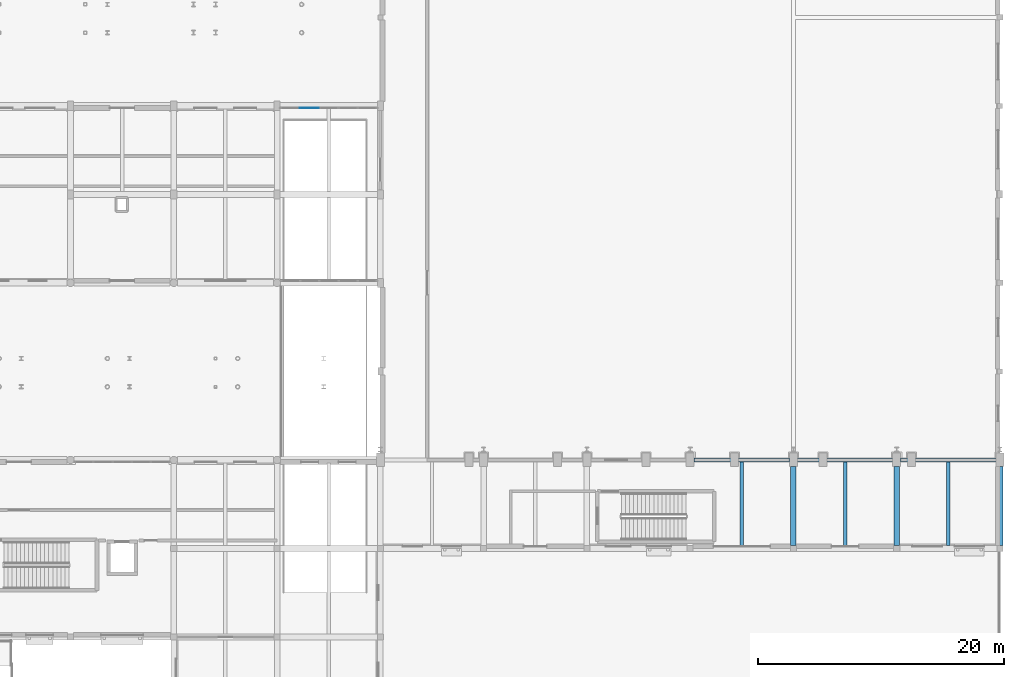
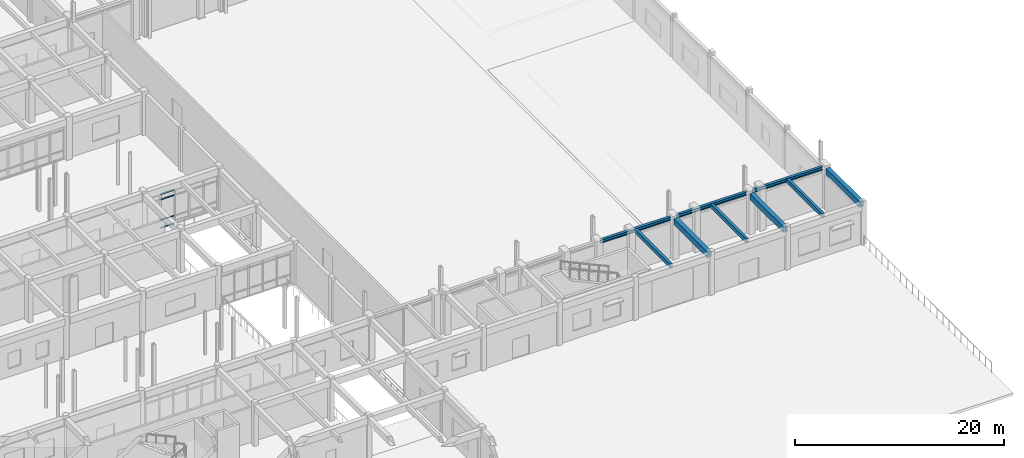
# One storey, part 61 of 121: 9 beams, 4 members, 1 element without a shape of its own.
"""IFC4 building model written with IfcOpenShell, lengths in metres."""

import ifcopenshell
import ifcopenshell.guid

model = None  # the IFC model being written
_history = None  # IfcOwnerHistory: only IFC2X3 demands one
_inside = {}  # id of a spatial element -> (the spatial element, [elements in it])
_under = {}  # id of a project, library or spatial element -> (it, [spatial elements below it])
_declared = {}  # id of a project -> (the project, [libraries it declares])
_typed = {}  # id of a type object -> (the type object, [elements of that type])
_made_of = {}  # id of a material, layer set ... -> (it, [elements and type objects made of it])


def new_model(schema):
    """Start an empty IFC model of exactly this schema.

    Asked for "IFC4X3", IfcOpenShell would pick the latest addendum, in which some entities
    have other attributes; the version numbers below select the first issue.
    IFC2X3 requires an IfcOwnerHistory on every rooted entity: one is made here for all.
    """
    global model, _history
    if schema == "IFC4X3":
        model = ifcopenshell.file(schema_version=(4, 3, 0, 0))
    else:
        model = ifcopenshell.file(schema=schema)
    _inside.clear()
    _under.clear()
    _declared.clear()
    _typed.clear()
    _made_of.clear()
    _history = None
    if model.schema == "IFC2X3":
        org = make("IfcOrganization", Name="unknown")
        user = make(
            "IfcPersonAndOrganization",
            ThePerson=make("IfcPerson", FamilyName="unknown"),
            TheOrganization=org,
        )
        app = make(
            "IfcApplication",
            ApplicationDeveloper=org,
            Version="unknown",
            ApplicationFullName="unknown",
            ApplicationIdentifier="unknown",
        )
        _history = make(
            "IfcOwnerHistory",
            OwningUser=user,
            OwningApplication=app,
            ChangeAction="ADDED",
            CreationDate=0,
        )
    return model


def make(cls, **values):
    """One entity of the class cls with the attributes given. An attribute that is None is left unset."""
    return model.create_entity(
        cls, **{name: value for name, value in values.items() if value is not None}
    )


def rooted(cls, **values):
    """An entity with a GlobalId (a new one), such as an element, a storey or a relation."""
    return make(cls, GlobalId=ifcopenshell.guid.new(), OwnerHistory=_history, **values)


def si_unit(unit_type, name, prefix=None):
    """IfcSIUnit, for example si_unit("LENGTHUNIT", "METRE", prefix="MILLI")."""
    return make("IfcSIUnit", UnitType=unit_type, Prefix=prefix, Name=name)


def assignment(units):
    """IfcUnitAssignment: the units of a project."""
    return None if units is None else make("IfcUnitAssignment", Units=units)


def point(xyz):
    """IfcCartesianPoint."""
    return None if xyz is None else make("IfcCartesianPoint", Coordinates=xyz)


def direction(xyz):
    """IfcDirection."""
    return None if xyz is None else make("IfcDirection", DirectionRatios=xyz)


def frame(location, z_axis=None, x_axis=None):
    """IfcAxis2Placement3D, a coordinate frame: its origin and axes. An axis left out is left unset."""
    return make(
        "IfcAxis2Placement3D",
        Location=point(location),
        Axis=direction(z_axis),
        RefDirection=direction(x_axis),
    )


def frame_2d(location, x_axis=None):
    """IfcAxis2Placement2D, a coordinate frame in the plane: its origin and x axis."""
    return make(
        "IfcAxis2Placement2D", Location=point(location), RefDirection=direction(x_axis)
    )


def origin():
    """The frame at (0, 0, 0) with its axes left unset."""
    return frame((0.0, 0.0, 0.0))


def origin_2d():
    """The frame at (0, 0) in the plane with its x axis left unset."""
    return frame_2d((0.0, 0.0))


def place(relative_to, where):
    """IfcLocalPlacement: puts the frame where relative to a parent placement (None: the world)."""
    return make(
        "IfcLocalPlacement", PlacementRelTo=relative_to, RelativePlacement=where
    )


def context(
    kind, dimensions, precision=None, world=None, true_north=None, identifier=None
):
    """IfcGeometricRepresentationContext, for example the 3D "Model" context."""
    return make(
        "IfcGeometricRepresentationContext",
        ContextIdentifier=identifier,
        ContextType=kind,
        CoordinateSpaceDimension=dimensions,
        Precision=precision,
        WorldCoordinateSystem=world,
        TrueNorth=true_north,
    )


def subcontext(parent, identifier, kind, view, scale=None):
    """IfcGeometricRepresentationSubContext, for example "Body" below "Model"."""
    return make(
        "IfcGeometricRepresentationSubContext",
        ContextIdentifier=identifier,
        ContextType=kind,
        ParentContext=parent,
        TargetScale=scale,
        TargetView=view,
    )


def project(units=None, contexts=None):
    """IfcProject with its units and contexts."""
    return rooted(
        "IfcProject",
        Name="project",
        RepresentationContexts=contexts,
        UnitsInContext=assignment(units),
    )


def spatial(cls, under=None, at=None, **own):
    """A site, building, storey or space (cls), placed at a placement, below another one or the project."""
    s = rooted(cls, ObjectPlacement=at, **own)
    if under is not None:
        _under.setdefault(under.id(), (under, []))[1].append(s)
    return s


def profile(cls, at=None, kind="AREA", **sizes):
    """A parametric profile (cls). Its sizes go by their IFC names, for example OverallWidth=200.0."""
    return make(cls, ProfileType=kind, Position=at, **sizes)


def rectangle(**sizes):
    """IfcRectangleProfileDef."""
    return profile("IfcRectangleProfileDef", **sizes)


def i_section(**sizes):
    """IfcIShapeProfileDef."""
    return profile("IfcIShapeProfileDef", **sizes)


def extrude(swept, where, along, depth):
    """IfcExtrudedAreaSolid: the profile swept, set in the frame where, extruded along a direction by depth."""
    return make(
        "IfcExtrudedAreaSolid",
        SweptArea=swept,
        Position=where,
        ExtrudedDirection=direction(along),
        Depth=depth,
    )


def shape(context_of_items, identifier, shape_type, items):
    """IfcShapeRepresentation: the items that make up one representation, for example the "Body"."""
    return make(
        "IfcShapeRepresentation",
        ContextOfItems=context_of_items,
        RepresentationIdentifier=identifier,
        RepresentationType=shape_type,
        Items=items,
    )


def material(Name=None, Category=None):
    """IfcMaterial."""
    return make("IfcMaterial", Name=Name, Category=Category)


def material_profile(
    of_material, cross_section, Name=None, Category=None, Priority=None
):
    """IfcMaterialProfile: a cross section and its material."""
    return make(
        "IfcMaterialProfile",
        Name=Name,
        Material=of_material,
        Profile=cross_section,
        Priority=Priority,
        Category=Category,
    )


def profile_set(profiles, Name=None, composite=None):
    """IfcMaterialProfileSet."""
    return make(
        "IfcMaterialProfileSet",
        Name=Name,
        MaterialProfiles=profiles,
        CompositeProfile=composite,
    )


def made_of(thing, what):
    """Note that an element or type object is made of a material, layer set ...; save() writes the relation."""
    if what is not None:
        _made_of.setdefault(what.id(), (what, []))[1].append(thing)
    return thing


def type_object(cls, material=None, **own):
    """A type object (cls), such as IfcWallType, which elements share."""
    return made_of(rooted(cls, **own), material)


def element(
    cls,
    number,
    at=None,
    inside=None,
    cuts=None,
    type_object=None,
    material=None,
    context=None,
    identifier="Body",
    shape_type=None,
    held_by="IfcProductDefinitionShape",
    body=None,
    shapes=None,
    **own,
):
    """One element of the class cls, such as IfcWall. Its Tag is "e" and its number.

    at: its placement. inside: the storey or other place that contains it. cuts: it is an
    opening in that element (IfcRelVoidsElement). A single representation is given by context,
    identifier, shape_type and body (its items); several are given by shapes. held_by: the class
    of the entity that holds the representations. save() writes the other relations.
    """
    e = rooted(cls, Tag="e%d" % number, ObjectPlacement=at, **own)
    if body is not None:
        shapes = [shape(context, identifier, shape_type, body)]
    if shapes is not None:
        e.Representation = make(held_by, Representations=shapes)
    if inside is not None:
        _inside.setdefault(inside.id(), (inside, []))[1].append(e)
    if cuts is not None:
        rooted(
            "IfcRelVoidsElement", RelatingBuildingElement=cuts, RelatedOpeningElement=e
        )
    if type_object is not None:
        _typed.setdefault(type_object.id(), (type_object, []))[1].append(e)
    return made_of(e, material)


def aggregate(whole, parts):
    """IfcRelAggregates: a whole, such as a stair, and the parts it consists of."""
    return rooted("IfcRelAggregates", RelatingObject=whole, RelatedObjects=parts)


def save(model, path):
    """Write the relations noted so far, then the file.

    IfcRelAggregates (storeys below a building ...), IfcRelContainedInSpatialStructure (elements
    in a storey), IfcRelDefinesByType, IfcRelAssociatesMaterial and IfcRelDeclares: one each for
    every whole, place, type object, material and project.
    """
    for whole, parts in _under.values():
        aggregate(whole, parts)
    for where, things in _inside.values():
        rooted(
            "IfcRelContainedInSpatialStructure",
            RelatedElements=things,
            RelatingStructure=where,
        )
    for kind, things in _typed.values():
        rooted("IfcRelDefinesByType", RelatedObjects=things, RelatingType=kind)
    for what, things in _made_of.values():
        rooted("IfcRelAssociatesMaterial", RelatedObjects=things, RelatingMaterial=what)
    for by, libraries in _declared.values():
        rooted("IfcRelDeclares", RelatingContext=by, RelatedDefinitions=libraries)
    model.write(path)


model = new_model("IFC4")

# Units and contexts
model_context = context("Model", 3, precision=1e-05, world=origin(), true_north=direction((0.0, 1.0)))
body_context = subcontext(model_context, "Body", "Model", "MODEL_VIEW")
ifc_project = project(units=[si_unit("LENGTHUNIT", "METRE"), si_unit("AREAUNIT", "SQUARE_METRE"), si_unit("VOLUMEUNIT", "CUBIC_METRE"), si_unit("PLANEANGLEUNIT", "RADIAN"), si_unit("MASSUNIT", "GRAM", prefix="KILO")], contexts=[model_context])

# Site, building, storey
site_placement = place(None, origin())
site = spatial("IfcSite", under=ifc_project, at=site_placement, CompositionType="ELEMENT")
building_placement = place(site_placement, origin())
building = spatial("IfcBuilding", under=site, at=building_placement, Name="Malvenik Polytechnic", CompositionType="ELEMENT")
storey_placement = place(building_placement, origin())
storey = spatial("IfcBuildingStorey", under=building, at=storey_placement, Name="L00", CompositionType="ELEMENT", Elevation=0.0)

# Curtain wall, members
ifc_material_1 = material(Name="Anodised aluminium 6060-T6", Category="aluminium")
curtain_wall_type = type_object("IfcCurtainWallType", Name="ARC-CW-CW-01", PredefinedType="NOTDEFINED", material=ifc_material_1)
curtain_wall_placement = place(storey_placement, origin())
curtain_wall = element("IfcCurtainWall", 1, at=curtain_wall_placement, inside=storey, type_object=curtain_wall_type, Name="Unitised Curtain Wall CW-01 L00 #22", PredefinedType="NOTDEFINED")
ifc_material_2 = material(Name="Anodised aluminium", Category="aluminium")
ifc_material_profile_1 = material_profile(ifc_material_2, rectangle(XDim=0.06005859375, YDim=0.139892578125, at=origin_2d()), Name="ALU TRANSOM 60x140")
ifc_profile_set_1 = profile_set([ifc_material_profile_1], Name="Anodised aluminium")
member_type = type_object("IfcMemberType", Name="ARC-CWT-140", PredefinedType="USERDEFINED", material=ifc_profile_set_1)
member_1_placement = place(storey_placement, frame((127.85888671875, 64.6298828125, 0.030029296875), z_axis=(1.0, 0.0, 0.0), x_axis=(0.0, 1.0, 0.0)))
member_1 = element("IfcMember", 2, at=member_1_placement, type_object=member_type, Name="CW-01 transom 2.1", ObjectType="TRANSOM", PredefinedType="USERDEFINED", context=body_context, shape_type="SweptSolid", body=[
    extrude(rectangle(XDim=0.06005859375, YDim=0.139892578125, at=origin_2d()), origin(), (0.0, 0.0, 1.0), 1.520751953125),
])
member_2_placement = place(storey_placement, frame((127.85888671875, 64.6298828125, 0.949951171875), z_axis=(1.0, 0.0, 0.0), x_axis=(0.0, 1.0, 0.0)))
member_2 = element("IfcMember", 3, at=member_2_placement, type_object=member_type, Name="CW-01 transom 2.2", ObjectType="TRANSOM", PredefinedType="USERDEFINED", context=body_context, shape_type="SweptSolid", body=[
    extrude(rectangle(XDim=0.06005859375, YDim=0.139892578125, at=origin_2d()), origin(), (0.0, 0.0, 1.0), 1.520751953125),
])
member_3_placement = place(storey_placement, frame((127.85888671875, 64.6298828125, 3.360107421875), z_axis=(1.0, 0.0, 0.0), x_axis=(0.0, 1.0, 0.0)))
member_3 = element("IfcMember", 4, at=member_3_placement, type_object=member_type, Name="CW-01 transom 2.3", ObjectType="TRANSOM", PredefinedType="USERDEFINED", context=body_context, shape_type="SweptSolid", body=[
    extrude(rectangle(XDim=0.06005859375, YDim=0.139892578125, at=origin_2d()), origin(), (0.0, 0.0, 1.0), 1.520751953125),
])
member_4_placement = place(storey_placement, frame((127.85888671875, 64.6298828125, 3.97998046875), z_axis=(1.0, 0.0, 0.0), x_axis=(0.0, 1.0, 0.0)))
member_4 = element("IfcMember", 5, at=member_4_placement, type_object=member_type, Name="CW-01 transom 2.4", ObjectType="TRANSOM", PredefinedType="USERDEFINED", context=body_context, shape_type="SweptSolid", body=[
    extrude(rectangle(XDim=0.06005859375, YDim=0.139892578125, at=origin_2d()), origin(), (0.0, 0.0, 1.0), 1.520751953125),
])
aggregate(curtain_wall, [member_1, member_2, member_3, member_4])

# Beams
ifc_material_3 = material(Name="Concrete C35/45", Category="concrete")
ifc_material_profile_2 = material_profile(ifc_material_3, rectangle(XDim=0.449951171875, YDim=0.699951171875, at=origin_2d()), Name="RC BM 450x700")
ifc_profile_set_2 = profile_set([ifc_material_profile_2], Name="Concrete C35/45")
beam_type_1 = type_object("IfcBeamType", Name="STR-BM-B-04", PredefinedType="BEAM", material=ifc_profile_set_2)
for number, where, z_axis, x_axis, name in (
    (6, (168.0, 29.048095703125, 4.469970703125), (0.0, 1.0, 0.0), (-1.0, 0.0, 0.0), "Transverse Beam B-04 L00 #857"),
    (7, (176.39990234375, 29.048095703125, 4.469970703125), (0.0, 1.0, 0.0), (-1.0, 0.0, 0.0), "Transverse Beam B-04 L00 #860"),
    (8, (184.800048828125, 29.048095703125, 4.469970703125), (0.0, 1.0, 0.0), (-1.0, 0.0, 0.0), "Transverse Beam B-04 L00 #862"),
):
    element("IfcBeam", number, at=place(storey_placement, frame(where, z_axis=z_axis, x_axis=x_axis)), inside=storey, type_object=beam_type_1, Name=name, PredefinedType="BEAM", context=body_context, shape_type="SweptSolid", body=[
        extrude(rectangle(XDim=0.449951171875, YDim=0.699951171875, at=origin_2d()), origin(), (0.0, 0.0, 1.0), 6.40380859375),
    ])
ifc_material_4 = material(Name="Concrete C30/37", Category="concrete")
ifc_material_profile_3 = material_profile(ifc_material_4, rectangle(XDim=0.280029296875, YDim=0.47998046875, at=origin_2d()), Name="RC JST 280x480")
ifc_profile_set_3 = profile_set([ifc_material_profile_3], Name="Concrete C30/37")
beam_type_2 = type_object("IfcBeamType", Name="STR-BM-J-01", PredefinedType="JOIST", material=ifc_profile_set_3)
for number, where, z_axis, x_axis, name in (
    (9, (163.800048828125, 29.05810546875, 4.580078125), (0.0, 1.0, 0.0), (-1.0, 0.0, 0.0), "Secondary Rib Joist J-01 L00 #955"),
    (10, (172.199951171875, 29.05810546875, 4.580078125), (0.0, 1.0, 0.0), (-1.0, 0.0, 0.0), "Secondary Rib Joist J-01 L00 #958"),
    (11, (180.60009765625, 29.05810546875, 4.580078125), (0.0, 1.0, 0.0), (-1.0, 0.0, 0.0), "Secondary Rib Joist J-01 L00 #960"),
):
    element("IfcBeam", number, at=place(storey_placement, frame(where, z_axis=z_axis, x_axis=x_axis)), inside=storey, type_object=beam_type_2, Name=name, PredefinedType="JOIST", context=body_context, shape_type="SweptSolid", body=[
        extrude(rectangle(XDim=0.280029296875, YDim=0.47998046875, at=origin_2d()), origin(), (0.0, 0.0, 1.0), 6.7939453125),
    ])
ifc_material_5 = material(Name="Steel S355", Category="steel")
ifc_material_profile_4 = material_profile(ifc_material_5, i_section(OverallWidth=0.300048828125, OverallDepth=0.389892578125, WebThickness=0.010986328125, FlangeThickness=0.01904296875, FilletRadius=0.027099609375, at=origin_2d()), Name="HEA 400")
ifc_profile_set_4 = profile_set([ifc_material_profile_4], Name="Steel S355")
beam_type_3 = type_object("IfcBeamType", Name="STR-BM-SB-05", PredefinedType="BEAM", material=ifc_profile_set_4)
for number, where, z_axis, x_axis, name in (
    (12, (159.923095703125, 36.0, 4.613037109375), (1.0, 0.0, 0.0), (0.0, 1.0, 0.0), "Beam SB-05 #4"),
    (13, (168.322998046875, 36.0, 4.613037109375), (1.0, 0.0, 0.0), (0.0, 1.0, 0.0), "Beam SB-05 #5"),
):
    element("IfcBeam", number, at=place(storey_placement, frame(where, z_axis=z_axis, x_axis=x_axis)), inside=storey, type_object=beam_type_3, Name=name, PredefinedType="BEAM", context=body_context, shape_type="SweptSolid", body=[
        extrude(i_section(OverallWidth=0.300048828125, OverallDepth=0.389892578125, WebThickness=0.010986328125, FlangeThickness=0.01904296875, FilletRadius=0.027099609375, at=origin_2d()), origin(), (0.0, 0.0, 1.0), 7.75390625),
    ])
beam_placement = place(storey_placement, frame((176.722900390625, 36.0, 4.613037109375), z_axis=(1.0, 0.0, 0.0), x_axis=(0.0, 1.0, 0.0)))
element("IfcBeam", 14, at=beam_placement, inside=storey, type_object=beam_type_3, Name="Beam SB-05 #6", PredefinedType="BEAM", context=body_context, shape_type="SweptSolid", body=[
    extrude(i_section(OverallWidth=0.300048828125, OverallDepth=0.389892578125, WebThickness=0.010986328125, FlangeThickness=0.01904296875, FilletRadius=0.027099609375, at=origin_2d()), origin(), (0.0, 0.0, 1.0), 7.754150390625),
])

save(model, "model.ifc")
